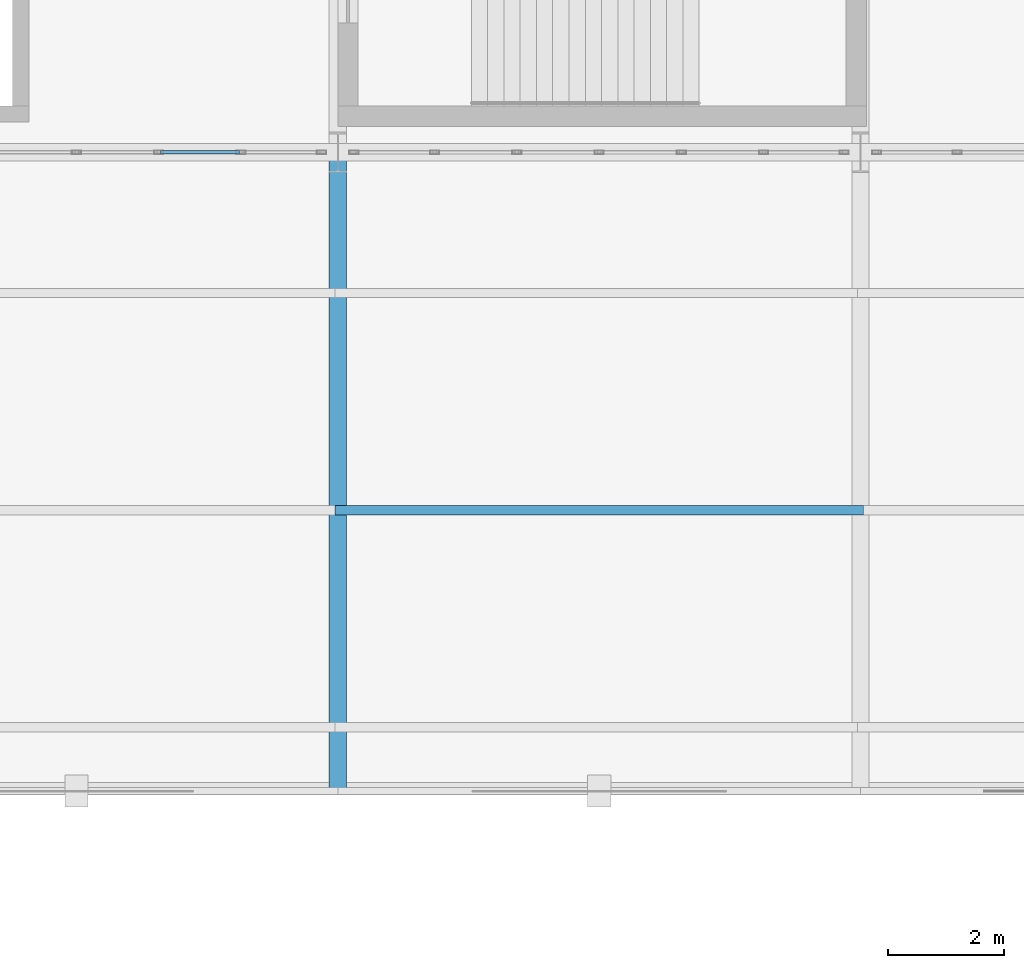
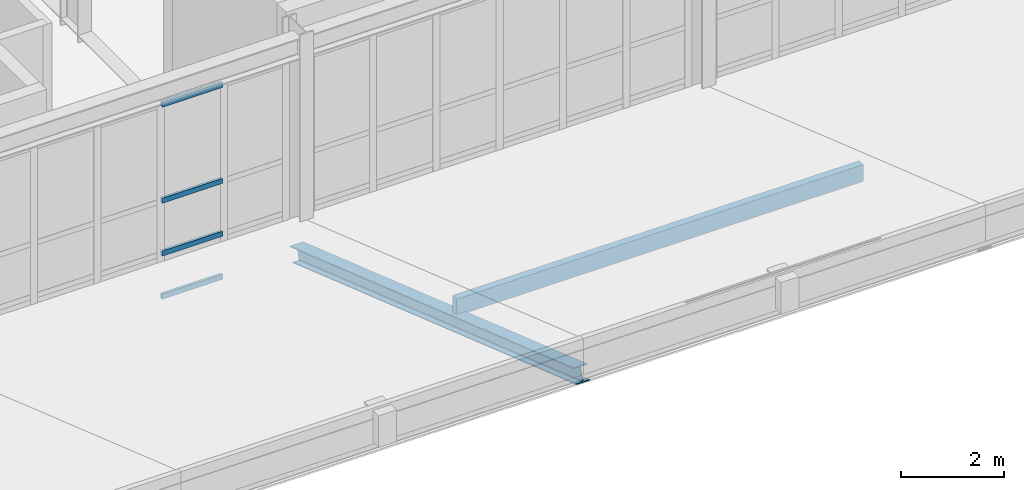
# One storey, part 53 of 239: 6 members, 1 element without a shape of its own.
"""IFC4 building model written with IfcOpenShell, lengths in metres."""

from ifc_helpers import new_model, si_unit, direction, frame, origin, origin_2d, place, context, subcontext, project, spatial, rectangle, hollow_rectangle, i_section, extrude, material, material_profile, profile_set, type_object, element, aggregate, save


model = new_model("IFC4")

# Units and contexts
model_context = context("Model", 3, precision=1e-05, world=origin(), true_north=direction((0.0, 1.0)))
body_context = subcontext(model_context, "Body", "Model", "MODEL_VIEW")
ifc_project = project(units=[si_unit("LENGTHUNIT", "METRE"), si_unit("AREAUNIT", "SQUARE_METRE"), si_unit("VOLUMEUNIT", "CUBIC_METRE"), si_unit("PLANEANGLEUNIT", "RADIAN"), si_unit("MASSUNIT", "GRAM", prefix="KILO")], contexts=[model_context])

# Site, building, storey
site_placement = place(None, origin())
site = spatial("IfcSite", under=ifc_project, at=site_placement, CompositionType="ELEMENT")
building_placement = place(site_placement, origin())
building = spatial("IfcBuilding", under=site, at=building_placement, Name="Kaldris Quays Convention Centre", CompositionType="ELEMENT")
storey_placement = place(building_placement, frame((0.0, 0.0, 11.39990234375)))
storey = spatial("IfcBuildingStorey", under=building, at=storey_placement, Name="L02", CompositionType="ELEMENT", Elevation=11.39990234375)

# Curtain wall, members
ifc_material_1 = material(Name="Anodized aluminium AW-6060 and triple glazing", Category="aluminium")
curtain_wall_type = type_object("IfcCurtainWallType", Name="UNITISED CURTAIN WALL CW04", PredefinedType="NOTDEFINED", material=ifc_material_1)
curtain_wall_placement = place(storey_placement, origin())
curtain_wall = element("IfcCurtainWall", 1, at=curtain_wall_placement, inside=storey, type_object=curtain_wall_type, Name="L02 Unitised Curtain Wall CW04 116", PredefinedType="NOTDEFINED")
ifc_material_2 = material(Name="Anodized aluminium AW-6060", Category="aluminium")
ifc_material_profile_1 = material_profile(ifc_material_2, hollow_rectangle(XDim=0.06005859375, YDim=0.1201171875, WallThickness=0.00390625, at=origin_2d()), Name="RHS 120x60x4")
ifc_profile_set_1 = profile_set([ifc_material_profile_1], Name="Anodized aluminium AW-6060")
member_type_1 = type_object("IfcMemberType", Name="CURTAIN TRANSOM CWT1", PredefinedType="USERDEFINED", material=ifc_profile_set_1)
member_1_placement = place(storey_placement, frame((106.94677734375, 38.0, 0.030029296875), z_axis=(1.0, 0.0, 0.0), x_axis=(0.0, 1.0, 0.0)))
member_1 = element("IfcMember", 2, at=member_1_placement, type_object=member_type_1, Name="CW04 transom 5.1", ObjectType="TRANSOM", PredefinedType="USERDEFINED", context=body_context, shape_type="SweptSolid", body=[
    extrude(hollow_rectangle(XDim=0.06005859375, YDim=0.1201171875, WallThickness=0.00390625, at=origin_2d()), origin(), (0.0, 0.0, 1.0), 1.3564453125),
])
member_2_placement = place(storey_placement, frame((106.94677734375, 38.0, 1.050048828125), z_axis=(1.0, 0.0, 0.0), x_axis=(0.0, 1.0, 0.0)))
member_2 = element("IfcMember", 3, at=member_2_placement, type_object=member_type_1, Name="CW04 transom 5.2", ObjectType="TRANSOM", PredefinedType="USERDEFINED", context=body_context, shape_type="SweptSolid", body=[
    extrude(hollow_rectangle(XDim=0.06005859375, YDim=0.1201171875, WallThickness=0.00390625, at=origin_2d()), origin(), (0.0, 0.0, 1.0), 1.3564453125),
])
member_3_placement = place(storey_placement, frame((106.94677734375, 38.0, 2.300048828125), z_axis=(1.0, 0.0, 0.0), x_axis=(0.0, 1.0, 0.0)))
member_3 = element("IfcMember", 4, at=member_3_placement, type_object=member_type_1, Name="CW04 transom 5.3", ObjectType="TRANSOM", PredefinedType="USERDEFINED", context=body_context, shape_type="SweptSolid", body=[
    extrude(hollow_rectangle(XDim=0.06005859375, YDim=0.1201171875, WallThickness=0.00390625, at=origin_2d()), origin(), (0.0, 0.0, 1.0), 1.3564453125),
])
member_4_placement = place(storey_placement, frame((106.94677734375, 38.0, 4.570068359375), z_axis=(1.0, 0.0, 0.0), x_axis=(0.0, 1.0, 0.0)))
member_4 = element("IfcMember", 5, at=member_4_placement, type_object=member_type_1, Name="CW04 transom 5.4", ObjectType="TRANSOM", PredefinedType="USERDEFINED", context=body_context, shape_type="SweptSolid", body=[
    extrude(hollow_rectangle(XDim=0.06005859375, YDim=0.1201171875, WallThickness=0.00390625, at=origin_2d()), origin(), (0.0, 0.0, 1.0), 1.3564453125),
])
aggregate(curtain_wall, [member_1, member_2, member_3, member_4])

# Members
ifc_material_3 = material(Name="Glulam GL28h", Category="wood")
ifc_material_profile_2 = material_profile(ifc_material_3, rectangle(XDim=0.159912109375, YDim=0.39990234375, at=origin_2d()), Name="GL 160x400")
ifc_profile_set_2 = profile_set([ifc_material_profile_2], Name="Glulam GL28h")
member_type_2 = type_object("IfcMemberType", Name="STRUCTURAL MEMBER PR01", PredefinedType="PURLIN", material=ifc_profile_set_2)
member_5_placement = place(storey_placement, frame((109.949951171875, 31.840087890625, 2.489013671875), z_axis=(1.0, 0.0, 0.0), x_axis=(0.0, 1.0, 0.0)))
element("IfcMember", 6, at=member_5_placement, inside=storey, type_object=member_type_2, Name="WR-SOUTH-ENTRY Glulam Wing Purlin 4", PredefinedType="PURLIN", context=body_context, shape_type="SweptSolid", body=[
    extrude(rectangle(XDim=0.159912109375, YDim=0.39990234375, at=origin_2d()), origin(), (0.0, 0.0, 1.0), 9.10009765625),
])
ifc_material_4 = material(Name="Steel S355J2", Category="steel")
ifc_material_profile_3 = material_profile(ifc_material_4, i_section(OverallWidth=0.300048828125, OverallDepth=0.35009765625, WebThickness=0.010009765625, FlangeThickness=0.017578125, FilletRadius=0.027099609375, at=origin_2d()), Name="HEA 360")
ifc_profile_set_3 = profile_set([ifc_material_profile_3], Name="Steel S355J2")
member_type_3 = type_object("IfcMemberType", Name="STRUCTURAL MEMBER WRF1", PredefinedType="RAFTER", material=ifc_profile_set_3)
member_6_placement = place(storey_placement, frame((110.0, 38.0, -0.000244140625), z_axis=(0.0, -0.945518736739, 0.325567686474), x_axis=(1.0, 0.0, 0.0)))
element("IfcMember", 7, at=member_6_placement, inside=storey, type_object=member_type_3, Name="WR-SOUTH-ENTRY Wing Cantilever Rafter 4", PredefinedType="RAFTER", context=body_context, shape_type="SweptSolid", body=[
    extrude(i_section(OverallWidth=0.300048828125, OverallDepth=0.35009765625, WebThickness=0.010009765625, FlangeThickness=0.017578125, FilletRadius=0.027099609375, at=origin_2d()), origin(), (0.0, 0.0, 1.0), 11.6337890625),
])

save(model, "model.ifc")
